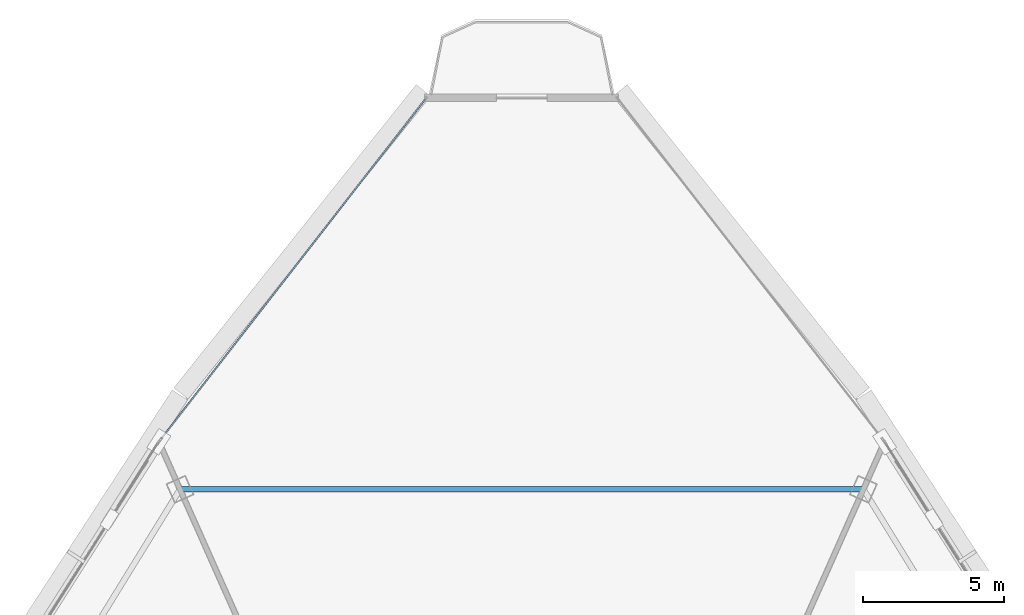
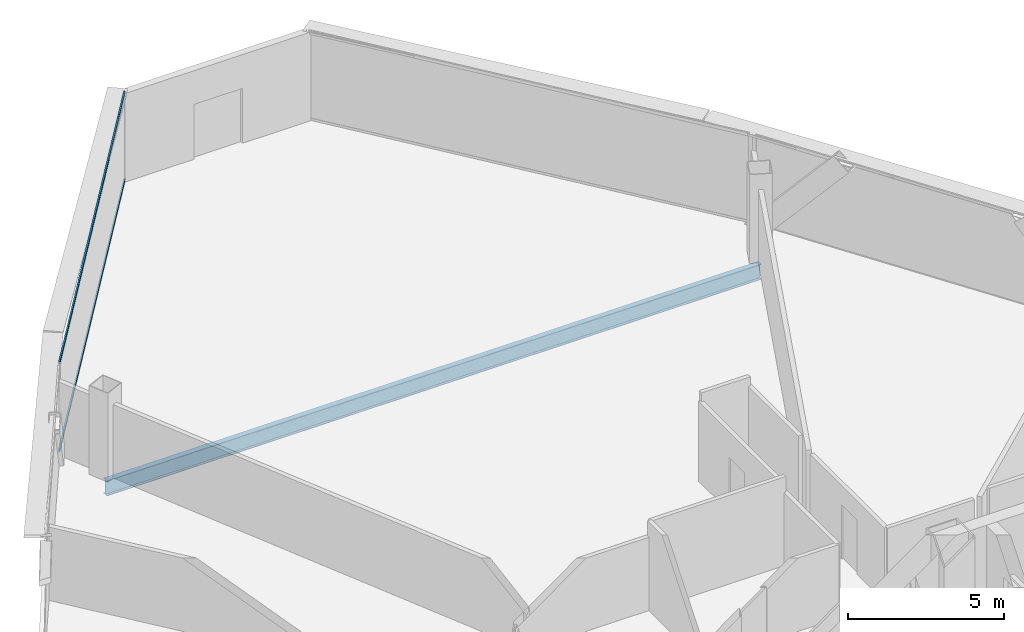
# One storey, part 22 of 35: 2 members, 1 beam, 1 element without a shape of its own.
"""IFC4 building model written with IfcOpenShell, lengths in metres."""

from ifc_helpers import new_model, si_unit, direction, frame, origin, origin_2d, place, context, subcontext, project, spatial, hollow_rectangle, i_section, extrude, source, transform, mapped, material, layer, layer_set, material_profile, profile_set, type_object, element, aggregate, save


model = new_model("IFC4")

# Units and contexts
model_context = context("Model", 3, precision=1e-05, world=origin(), true_north=direction((0.0, 1.0)))
body_context = subcontext(model_context, "Body", "Model", "MODEL_VIEW")
ifc_project = project(units=[si_unit("LENGTHUNIT", "METRE"), si_unit("AREAUNIT", "SQUARE_METRE"), si_unit("VOLUMEUNIT", "CUBIC_METRE"), si_unit("PLANEANGLEUNIT", "RADIAN"), si_unit("MASSUNIT", "GRAM", prefix="KILO"), si_unit("THERMODYNAMICTEMPERATUREUNIT", "KELVIN"), si_unit("POWERUNIT", "WATT")], contexts=[model_context])

# Site, building, storey
site_placement = place(None, origin())
site = spatial("IfcSite", under=ifc_project, at=site_placement, CompositionType="ELEMENT")
building_placement = place(site_placement, origin())
building = spatial("IfcBuilding", under=site, at=building_placement, Name="Yunzhuo Pagoda Commons", CompositionType="ELEMENT")
storey_placement = place(building_placement, frame((0.0, 0.0, 303.669921875)))
storey = spatial("IfcBuildingStorey", under=building, at=storey_placement, Name="L76", CompositionType="ELEMENT", Elevation=303.669921875)

# Beam
ifc_material_1 = material(Name="Structural steel Q355B", Category="steel")
ifc_material_profile_1 = material_profile(ifc_material_1, i_section(OverallWidth=0.199951171875, OverallDepth=0.60009765625, WebThickness=0.010986328125, FlangeThickness=0.01708984375, at=origin_2d()), Name="Structural steel Q355B")
ifc_profile_set_1 = profile_set([ifc_material_profile_1], Name="Structural steel Q355B")
beam_type = type_object("IfcBeamType", Name="B-RG3 Beam HN 600x200x11x17", PredefinedType="BEAM", material=ifc_profile_set_1)
shared_shape_1 = source(origin(), body_context, "Body", "SweptSolid", [
    extrude(i_section(OverallWidth=0.199951171875, OverallDepth=0.60009765625, WebThickness=0.010986328125, FlangeThickness=0.01708984375, at=origin_2d()), origin(), (0.0, 0.0, 1.0), 24.228515625),
])
beam_placement = place(storey_placement, frame((60.1142578125, 60.9091796875, -0.559814453125), z_axis=(-1.0, 0.0, 0.0), x_axis=(0.0, -1.0, 0.0)))
element("IfcBeam", 1, at=beam_placement, inside=storey, type_object=beam_type, Name="L76 column-ring beam 8", PredefinedType="BEAM", context=body_context, shape_type="MappedRepresentation", body=[
    mapped(shared_shape_1, transform((0.0, 0.0, 0.0), scale=1.0)),
])

# Curtain wall, members
ifc_material_2 = material(Name="Anodized aluminium 6063-T6", Category="aluminium")
ifc_layer = layer(ifc_material_2, 0.139892578125)
ifc_layer_set = layer_set([ifc_layer], Name="Anodized aluminium 6063-T6")
curtain_wall_type = type_object("IfcCurtainWallType", Name="CW-HI High-Zone Ribbon Curtain Wall", PredefinedType="NOTDEFINED", material=ifc_layer_set)
curtain_wall_placement = place(storey_placement, origin())
curtain_wall = element("IfcCurtainWall", 2, at=curtain_wall_placement, inside=storey, type_object=curtain_wall_type, Name="L76 curtain wall CW-L76-F3B1", PredefinedType="NOTDEFINED")
ifc_material_profile_2 = material_profile(ifc_material_2, hollow_rectangle(XDim=0.054931640625, YDim=0.1201171875, WallThickness=0.00341796875, at=origin_2d()), Name="Anodized aluminium 6063-T6")
ifc_profile_set_2 = profile_set([ifc_material_profile_2], Name="Anodized aluminium 6063-T6")
member_type = type_object("IfcMemberType", Name="CW-HI-T Transom RHS 120x55x3.5", PredefinedType="USERDEFINED", material=ifc_profile_set_2)
shared_shape_2 = source(origin(), body_context, "Body", "SweptSolid", [
    extrude(hollow_rectangle(XDim=0.054931640625, YDim=0.1201171875, WallThickness=0.00341796875, at=origin_2d()), origin(), (0.0, 0.0, 1.0), 15.25146484375),
])
member_1_placement = place(storey_placement, frame((44.580322265625, 74.74072265625, 0.027587890625), z_axis=(-0.613841977514, -0.789428924376, 0.0), x_axis=(0.789428924376, -0.613841977514, 0.0)))
member_1 = element("IfcMember", 3, at=member_1_placement, type_object=member_type, Name="CW transom 1.1", ObjectType="TRANSOM", PredefinedType="USERDEFINED", context=body_context, shape_type="MappedRepresentation", body=[
    mapped(shared_shape_2, transform((0.0, 0.0, 0.0), scale=1.0)),
])
member_2_placement = place(storey_placement, frame((44.580322265625, 74.74072265625, 3.442626953125), z_axis=(-0.613841977514, -0.789428924376, 0.0), x_axis=(0.789428924376, -0.613841977514, 0.0)))
member_2 = element("IfcMember", 4, at=member_2_placement, type_object=member_type, Name="CW transom 1.2", ObjectType="TRANSOM", PredefinedType="USERDEFINED", context=body_context, shape_type="MappedRepresentation", body=[
    mapped(shared_shape_2, transform((0.0, 0.0, 0.0), scale=1.0)),
])
aggregate(curtain_wall, [member_1, member_2])

save(model, "model.ifc")
